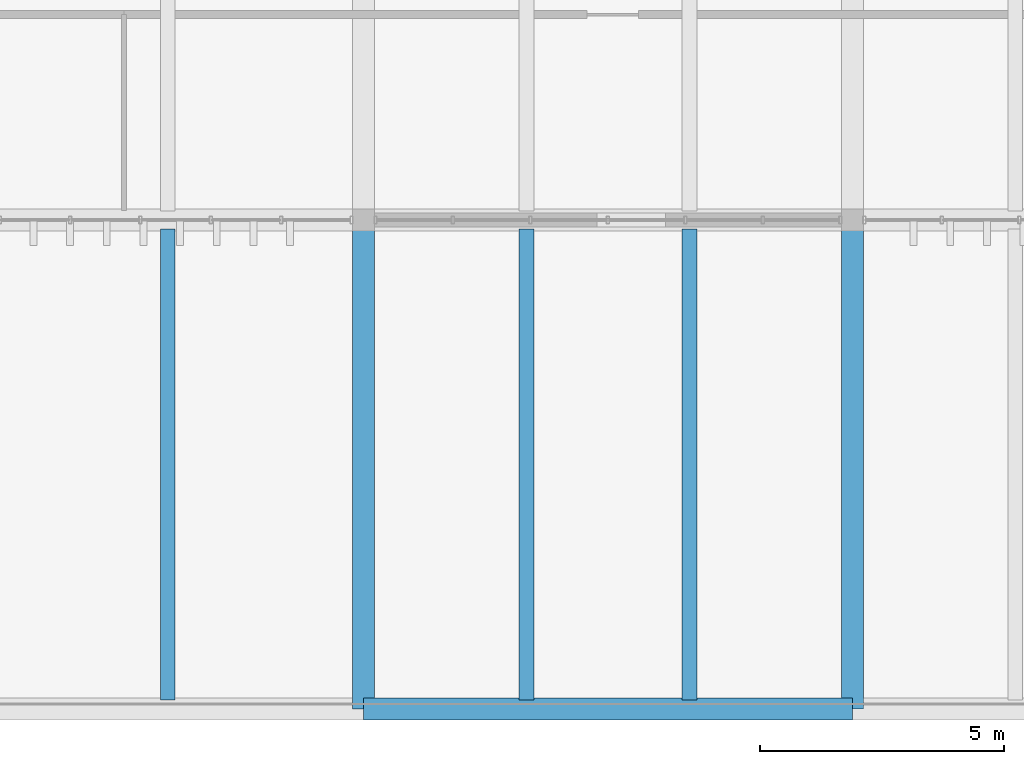
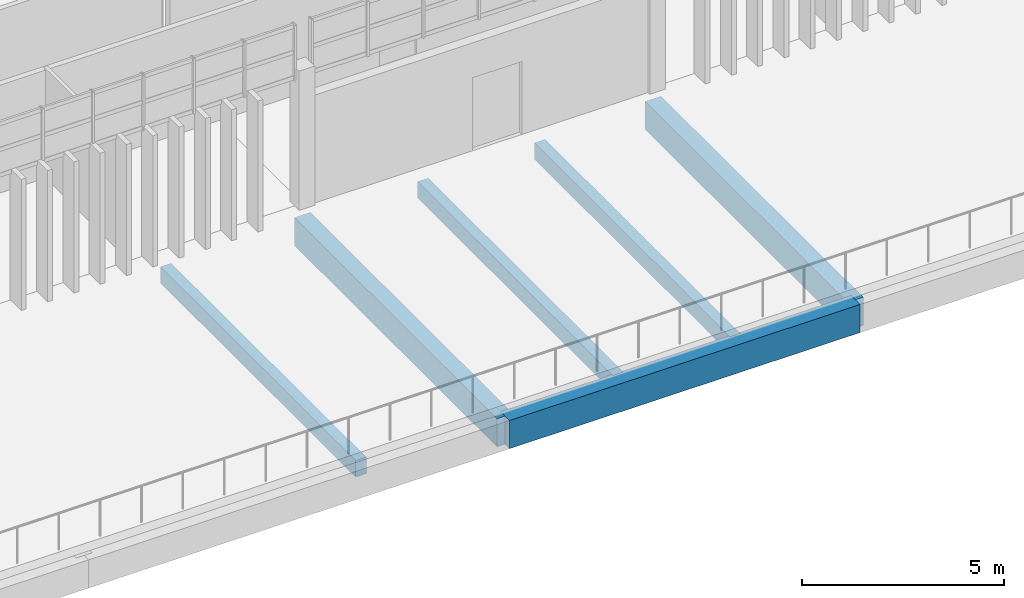
# One storey, part 15 of 36: 6 beams.
"""IFC4 building model written with IfcOpenShell, lengths in metres."""

from ifc_helpers import new_model, si_unit, direction, frame, origin, origin_2d, place, context, subcontext, project, spatial, rectangle, extrude, material, material_profile, profile_set, type_object, element, save


model = new_model("IFC4")

# Units and contexts
model_context = context("Model", 3, precision=1e-05, world=origin(), true_north=direction((0.0, 1.0)))
body_context = subcontext(model_context, "Body", "Model", "MODEL_VIEW")
ifc_project = project(units=[si_unit("LENGTHUNIT", "METRE"), si_unit("AREAUNIT", "SQUARE_METRE"), si_unit("VOLUMEUNIT", "CUBIC_METRE"), si_unit("PLANEANGLEUNIT", "RADIAN"), si_unit("MASSUNIT", "GRAM", prefix="KILO")], contexts=[model_context])

# Site, building, storey
site_placement = place(None, origin())
site = spatial("IfcSite", under=ifc_project, at=site_placement, CompositionType="ELEMENT")
building_placement = place(site_placement, origin())
building = spatial("IfcBuilding", under=site, at=building_placement, Name="Mersad Railyard Sports Hall", CompositionType="ELEMENT")
storey_placement = place(building_placement, frame((0.0, 0.0, 21.60009765625)))
storey = spatial("IfcBuildingStorey", under=building, at=storey_placement, Name="L05", CompositionType="ELEMENT", Elevation=21.60009765625)

# Beams
ifc_material = material(Name="Concrete C40/50", Category="concrete")
ifc_material_profile_1 = material_profile(ifc_material, rectangle(XDim=0.449951171875, YDim=0.85009765625, at=origin_2d()), Name="RC 450x850")
ifc_profile_set_1 = profile_set([ifc_material_profile_1], Name="Concrete C40/50")
beam_type_1 = type_object("IfcBeamType", Name="STR-BM-B02", PredefinedType="BEAM", material=ifc_profile_set_1)
for number, where, z_axis, x_axis, name in (
    (1, (91.0, 85.0, -0.775146484375), (1.0, 0.0, 0.0), (0.0, 1.0, 0.0), "Beam B02-1406"),
    (2, (91.0, 85.0, -0.775146484375), (0.0, 1.0, 0.0), (-1.0, 0.0, 0.0), "Beam B02-1436"),
    (3, (101.0, 85.0, -0.775146484375), (0.0, 1.0, 0.0), (-1.0, 0.0, 0.0), "Beam B02-1439"),
):
    element("IfcBeam", number, at=place(storey_placement, frame(where, z_axis=z_axis, x_axis=x_axis)), inside=storey, type_object=beam_type_1, Name=name, PredefinedType="BEAM", context=body_context, shape_type="SweptSolid", body=[
        extrude(rectangle(XDim=0.449951171875, YDim=0.85009765625, at=origin_2d()), origin(), (0.0, 0.0, 1.0), 10.0),
    ])
ifc_material_profile_2 = material_profile(ifc_material, rectangle(XDim=0.300048828125, YDim=0.5, at=origin_2d()), Name="RC 300x500")
ifc_profile_set_2 = profile_set([ifc_material_profile_2], Name="Concrete C40/50")
beam_type_2 = type_object("IfcBeamType", Name="STR-BM-LN01", PredefinedType="LINTEL", material=ifc_profile_set_2)
for number, where, z_axis, x_axis, name in (
    (4, (87.0, 85.179931640625, -0.60009765625), (0.0, 1.0, 0.0), (-1.0, 0.0, 0.0), "Beam LN01-1460"),
    (5, (94.3330078125, 85.179931640625, -0.60009765625), (0.0, 1.0, 0.0), (-1.0, 0.0, 0.0), "Beam LN01-1465"),
    (6, (97.6669921875, 85.179931640625, -0.60009765625), (0.0, 1.0, 0.0), (-1.0, 0.0, 0.0), "Beam LN01-1466"),
):
    element("IfcBeam", number, at=place(storey_placement, frame(where, z_axis=z_axis, x_axis=x_axis)), inside=storey, type_object=beam_type_2, Name=name, PredefinedType="LINTEL", context=body_context, shape_type="SweptSolid", body=[
        extrude(rectangle(XDim=0.300048828125, YDim=0.5, at=origin_2d()), origin(), (0.0, 0.0, 1.0), 9.64013671875),
    ])

save(model, "model.ifc")
